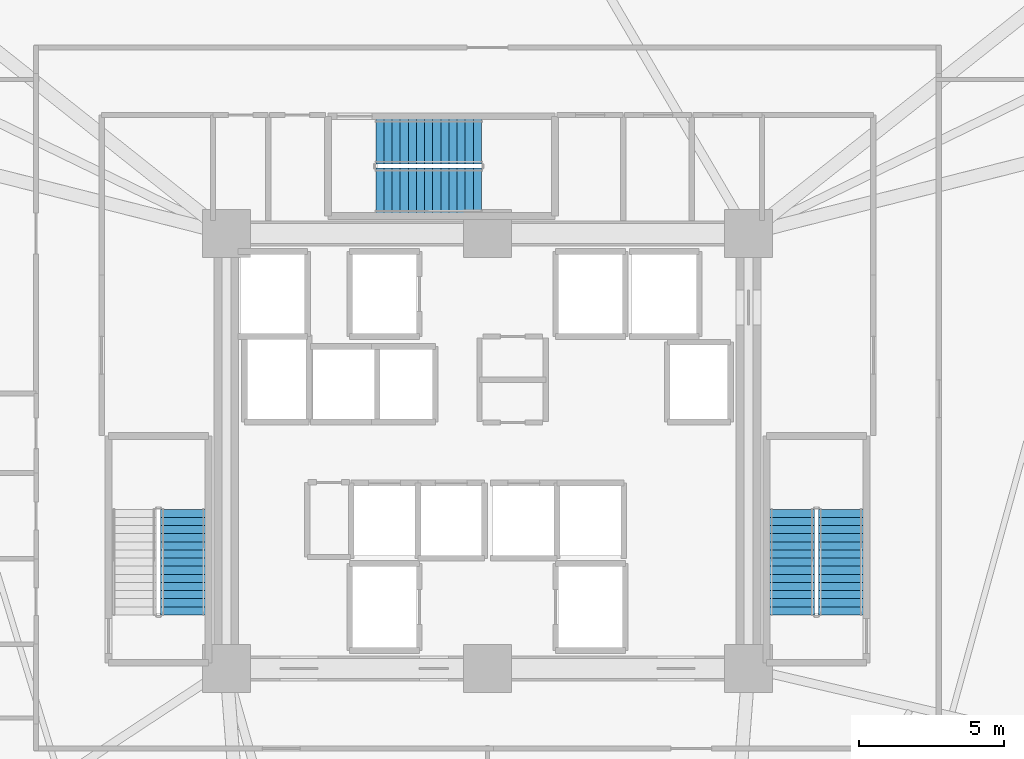
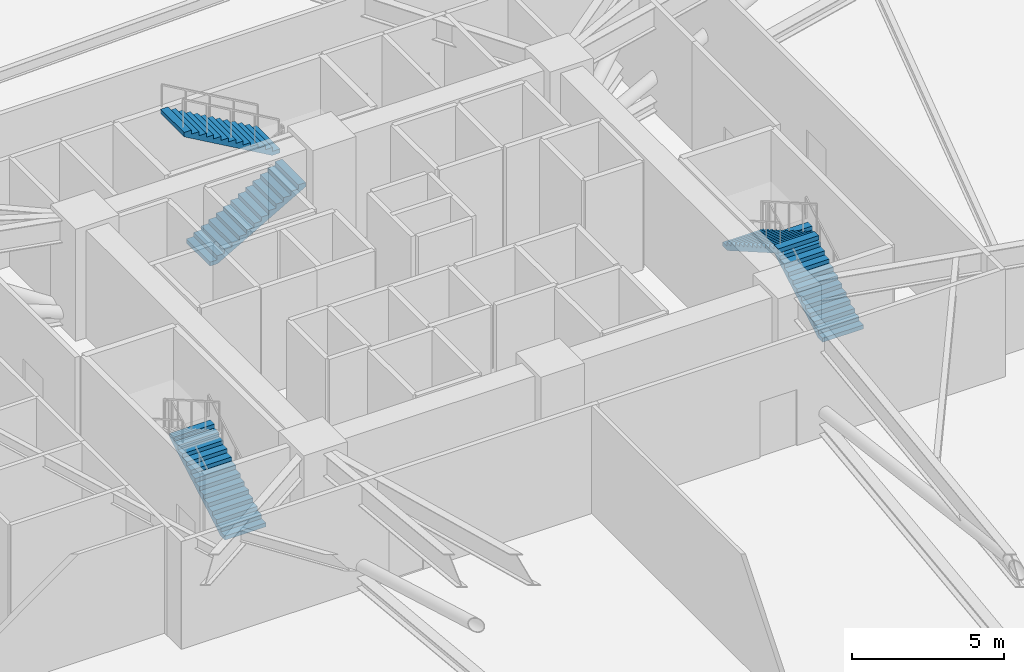
# One storey, part 20 of 25: 5 stair flights, 3 elements without a shape of their own.
"""IFC4 building model written with IfcOpenShell, lengths in metres."""

from ifc_helpers import new_model, si_unit, direction, frame, origin, place, context, subcontext, project, spatial, polyline, outline, extrude, material, type_object, element, aggregate, save


model = new_model("IFC4")

# Units and contexts
model_context = context("Model", 3, precision=1e-05, world=origin(), true_north=direction((0.0, 1.0)))
body_context = subcontext(model_context, "Body", "Model", "MODEL_VIEW")
ifc_project = project(units=[si_unit("LENGTHUNIT", "METRE"), si_unit("AREAUNIT", "SQUARE_METRE"), si_unit("VOLUMEUNIT", "CUBIC_METRE"), si_unit("PLANEANGLEUNIT", "RADIAN"), si_unit("MASSUNIT", "GRAM", prefix="KILO")], contexts=[model_context])

# Site, building, storey
site_placement = place(None, origin())
site = spatial("IfcSite", under=ifc_project, at=site_placement, CompositionType="ELEMENT")
building_placement = place(site_placement, origin())
building = spatial("IfcBuilding", under=site, at=building_placement, Name="Liaohun Quay Tower", CompositionType="ELEMENT")
storey_placement = place(building_placement, frame((0.0, 0.0, 47.25)))
storey = spatial("IfcBuildingStorey", under=building, at=storey_placement, Name="L12", CompositionType="ELEMENT", Elevation=47.25)

# Stair, stair flight
ifc_material = material(Name="Concrete C45", Category="concrete")
stair_type = type_object("IfcStairType", Name="STR-CORE-TALL", PredefinedType="HALF_TURN_STAIR", material=ifc_material)
stair_1_placement = place(storey_placement, origin())
stair_1 = element("IfcStair", 1, at=stair_1_placement, inside=storey, type_object=stair_type, Name="L12 Smokeproof Core Exit Stair ST-1", PredefinedType="HALF_TURN_STAIR")
stair_flight_type = type_object("IfcStairFlightType", Name="FLT-CORE-155", PredefinedType="STRAIGHT", material=ifc_material)
stair_flight_1_placement = place(storey_placement, frame((49.5048828125, 48.35009765625, 0.0), z_axis=(0.0, 0.0, 1.0), x_axis=(0.0, 1.0, 0.0)))
stair_flight_1 = element("IfcStairFlight", 2, at=stair_flight_1_placement, type_object=stair_flight_type, Name="ST-1 flight 1", NumberOfRisers=14, NumberOfTreads=13, PredefinedType="STRAIGHT", RiserHeight=0.160714286, TreadLength=0.28, context=body_context, shape_type="SweptSolid", body=[
    extrude(outline(polyline([(0.0, 0.0), (0.0, 0.16064453125), (0.280029296875, 0.16064453125), (0.280029296875, 0.321533203125), (0.56005859375, 0.321533203125), (0.56005859375, 0.482177734375), (0.840087890625, 0.482177734375), (0.840087890625, 0.642822265625), (1.1201171875, 0.642822265625), (1.1201171875, 0.803466796875), (1.39990234375, 0.803466796875), (1.39990234375, 0.96435546875), (1.679931640625, 0.96435546875), (1.679931640625, 1.125), (1.9599609375, 1.125), (1.9599609375, 1.28564453125), (2.239990234375, 1.28564453125), (2.239990234375, 1.446533203125), (2.52001953125, 1.446533203125), (2.52001953125, 1.607177734375), (2.800048828125, 1.607177734375), (2.800048828125, 1.767822265625), (3.080078125, 1.767822265625), (3.080078125, 1.928466796875), (3.360107421875, 1.928466796875), (3.360107421875, 2.08935546875), (3.639892578125, 2.08935546875), (3.639892578125, 2.25), (3.639892578125, 1.91650390625), (0.301025390625, 0.0), (0.0, 0.0)])), frame((0.0, 0.77490234375, 0.0), z_axis=(0.0, -1.0, 0.0), x_axis=(1.0, 0.0, 0.0)), (0.0, 0.0, 1.0), 1.550048828125),
])
aggregate(stair_1, [stair_flight_1])

# Stair, stair flights
stair_2_placement = place(storey_placement, origin())
stair_2 = element("IfcStair", 3, at=stair_2_placement, inside=storey, type_object=stair_type, Name="L12 Smokeproof Core Exit Stair ST-2", PredefinedType="HALF_TURN_STAIR")
stair_flight_2_placement = place(storey_placement, frame((72.18505859375, 48.35009765625, 0.0), z_axis=(0.0, 0.0, 1.0), x_axis=(0.0, 1.0, 0.0)))
stair_flight_2 = element("IfcStairFlight", 4, at=stair_flight_2_placement, type_object=stair_flight_type, Name="ST-2 flight 1", NumberOfRisers=14, NumberOfTreads=13, PredefinedType="STRAIGHT", RiserHeight=0.160714286, TreadLength=0.28, context=body_context, shape_type="SweptSolid", body=[
    extrude(outline(polyline([(0.0, 0.0), (0.0, 0.16064453125), (0.280029296875, 0.16064453125), (0.280029296875, 0.321533203125), (0.56005859375, 0.321533203125), (0.56005859375, 0.482177734375), (0.840087890625, 0.482177734375), (0.840087890625, 0.642822265625), (1.1201171875, 0.642822265625), (1.1201171875, 0.803466796875), (1.39990234375, 0.803466796875), (1.39990234375, 0.96435546875), (1.679931640625, 0.96435546875), (1.679931640625, 1.125), (1.9599609375, 1.125), (1.9599609375, 1.28564453125), (2.239990234375, 1.28564453125), (2.239990234375, 1.446533203125), (2.52001953125, 1.446533203125), (2.52001953125, 1.607177734375), (2.800048828125, 1.607177734375), (2.800048828125, 1.767822265625), (3.080078125, 1.767822265625), (3.080078125, 1.928466796875), (3.360107421875, 1.928466796875), (3.360107421875, 2.08935546875), (3.639892578125, 2.08935546875), (3.639892578125, 2.25), (3.639892578125, 1.91650390625), (0.301025390625, 0.0), (0.0, 0.0)])), frame((0.0, 0.77490234375, 0.0), z_axis=(0.0, -1.0, 0.0), x_axis=(1.0, 0.0, 0.0)), (0.0, 0.0, 1.0), 1.550048828125),
])
stair_flight_3_placement = place(storey_placement, frame((70.4951171875, 51.989990234375, 2.25), z_axis=(0.0, 0.0, 1.0), x_axis=(0.0, -1.0, 0.0)))
stair_flight_3 = element("IfcStairFlight", 5, at=stair_flight_3_placement, type_object=stair_flight_type, Name="ST-2 flight 2", NumberOfRisers=14, NumberOfTreads=13, PredefinedType="STRAIGHT", RiserHeight=0.160714286, TreadLength=0.28, context=body_context, shape_type="SweptSolid", body=[
    extrude(outline(polyline([(0.0, 0.0), (0.0, 0.16064453125), (0.280029296875, 0.16064453125), (0.280029296875, 0.321533203125), (0.56005859375, 0.321533203125), (0.56005859375, 0.482177734375), (0.840087890625, 0.482177734375), (0.840087890625, 0.642822265625), (1.1201171875, 0.642822265625), (1.1201171875, 0.803466796875), (1.39990234375, 0.803466796875), (1.39990234375, 0.96435546875), (1.679931640625, 0.96435546875), (1.679931640625, 1.125), (1.9599609375, 1.125), (1.9599609375, 1.28564453125), (2.239990234375, 1.28564453125), (2.239990234375, 1.446533203125), (2.52001953125, 1.446533203125), (2.52001953125, 1.607177734375), (2.800048828125, 1.607177734375), (2.800048828125, 1.767822265625), (3.080078125, 1.767822265625), (3.080078125, 1.928466796875), (3.360107421875, 1.928466796875), (3.360107421875, 2.08935546875), (3.639892578125, 2.08935546875), (3.639892578125, 2.25), (3.639892578125, 1.91650390625), (0.301025390625, 0.0), (0.0, 0.0)])), frame((0.0, 0.77490234375, 0.0), z_axis=(0.0, -1.0, 0.0), x_axis=(1.0, 0.0, 0.0)), (0.0, 0.0, 1.0), 1.550048828125),
])
aggregate(stair_2, [stair_flight_2, stair_flight_3])

stair_3_placement = place(storey_placement, origin())
stair_3 = element("IfcStair", 6, at=stair_3_placement, inside=storey, type_object=stair_type, Name="L12 Smokeproof Core Exit Stair ST-3", PredefinedType="HALF_TURN_STAIR")
stair_flight_4_placement = place(storey_placement, frame((56.14990234375, 62.97509765625, 0.0), z_axis=(0.0, 0.0, 1.0), x_axis=(1.0, 0.0, 0.0)))
stair_flight_4 = element("IfcStairFlight", 7, at=stair_flight_4_placement, type_object=stair_flight_type, Name="ST-3 flight 1", NumberOfRisers=14, NumberOfTreads=13, PredefinedType="STRAIGHT", RiserHeight=0.160714286, TreadLength=0.28, context=body_context, shape_type="SweptSolid", body=[
    extrude(outline(polyline([(0.0, 0.0), (0.0, 0.16064453125), (0.280029296875, 0.16064453125), (0.280029296875, 0.321533203125), (0.56005859375, 0.321533203125), (0.56005859375, 0.482177734375), (0.840087890625, 0.482177734375), (0.840087890625, 0.642822265625), (1.1201171875, 0.642822265625), (1.1201171875, 0.803466796875), (1.39990234375, 0.803466796875), (1.39990234375, 0.96435546875), (1.679931640625, 0.96435546875), (1.679931640625, 1.125), (1.9599609375, 1.125), (1.9599609375, 1.28564453125), (2.239990234375, 1.28564453125), (2.239990234375, 1.446533203125), (2.52001953125, 1.446533203125), (2.52001953125, 1.607177734375), (2.800048828125, 1.607177734375), (2.800048828125, 1.767822265625), (3.080078125, 1.767822265625), (3.080078125, 1.928466796875), (3.360107421875, 1.928466796875), (3.360107421875, 2.08935546875), (3.639892578125, 2.08935546875), (3.639892578125, 2.25), (3.639892578125, 1.91650390625), (0.301025390625, 0.0), (0.0, 0.0)])), frame((0.0, 0.77490234375, 0.0), z_axis=(0.0, -1.0, 0.0), x_axis=(1.0, 0.0, 0.0)), (0.0, 0.0, 1.0), 1.550048828125),
])
stair_flight_5_placement = place(storey_placement, frame((59.7900390625, 64.6650390625, 2.25), z_axis=(0.0, 0.0, 1.0), x_axis=(-1.0, 0.0, 0.0)))
stair_flight_5 = element("IfcStairFlight", 8, at=stair_flight_5_placement, type_object=stair_flight_type, Name="ST-3 flight 2", NumberOfRisers=14, NumberOfTreads=13, PredefinedType="STRAIGHT", RiserHeight=0.160714286, TreadLength=0.28, context=body_context, shape_type="SweptSolid", body=[
    extrude(outline(polyline([(0.0, 0.0), (0.0, 0.16064453125), (0.280029296875, 0.16064453125), (0.280029296875, 0.321533203125), (0.56005859375, 0.321533203125), (0.56005859375, 0.482177734375), (0.840087890625, 0.482177734375), (0.840087890625, 0.642822265625), (1.1201171875, 0.642822265625), (1.1201171875, 0.803466796875), (1.39990234375, 0.803466796875), (1.39990234375, 0.96435546875), (1.679931640625, 0.96435546875), (1.679931640625, 1.125), (1.9599609375, 1.125), (1.9599609375, 1.28564453125), (2.239990234375, 1.28564453125), (2.239990234375, 1.446533203125), (2.52001953125, 1.446533203125), (2.52001953125, 1.607177734375), (2.800048828125, 1.607177734375), (2.800048828125, 1.767822265625), (3.080078125, 1.767822265625), (3.080078125, 1.928466796875), (3.360107421875, 1.928466796875), (3.360107421875, 2.08935546875), (3.639892578125, 2.08935546875), (3.639892578125, 2.25), (3.639892578125, 1.91650390625), (0.301025390625, 0.0), (0.0, 0.0)])), frame((0.0, 0.77490234375, 0.0), z_axis=(0.0, -1.0, 0.0), x_axis=(1.0, 0.0, 0.0)), (0.0, 0.0, 1.0), 1.550048828125),
])
aggregate(stair_3, [stair_flight_4, stair_flight_5])

save(model, "model.ifc")
